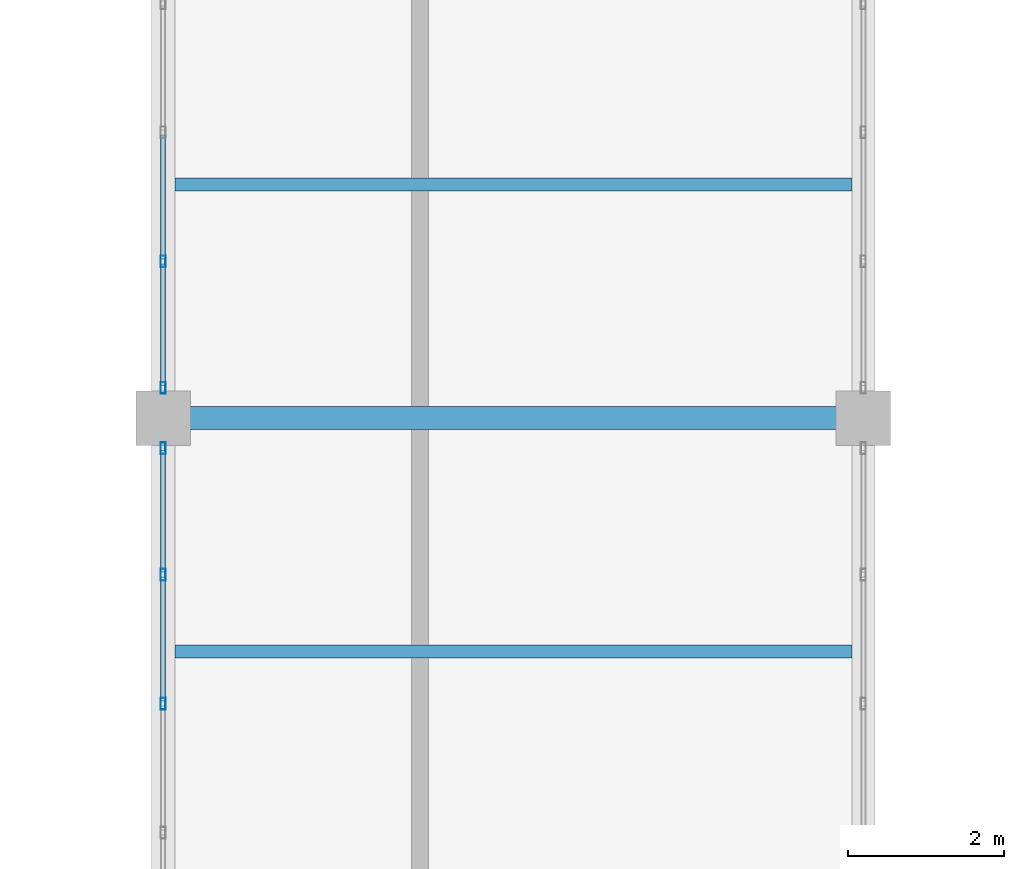
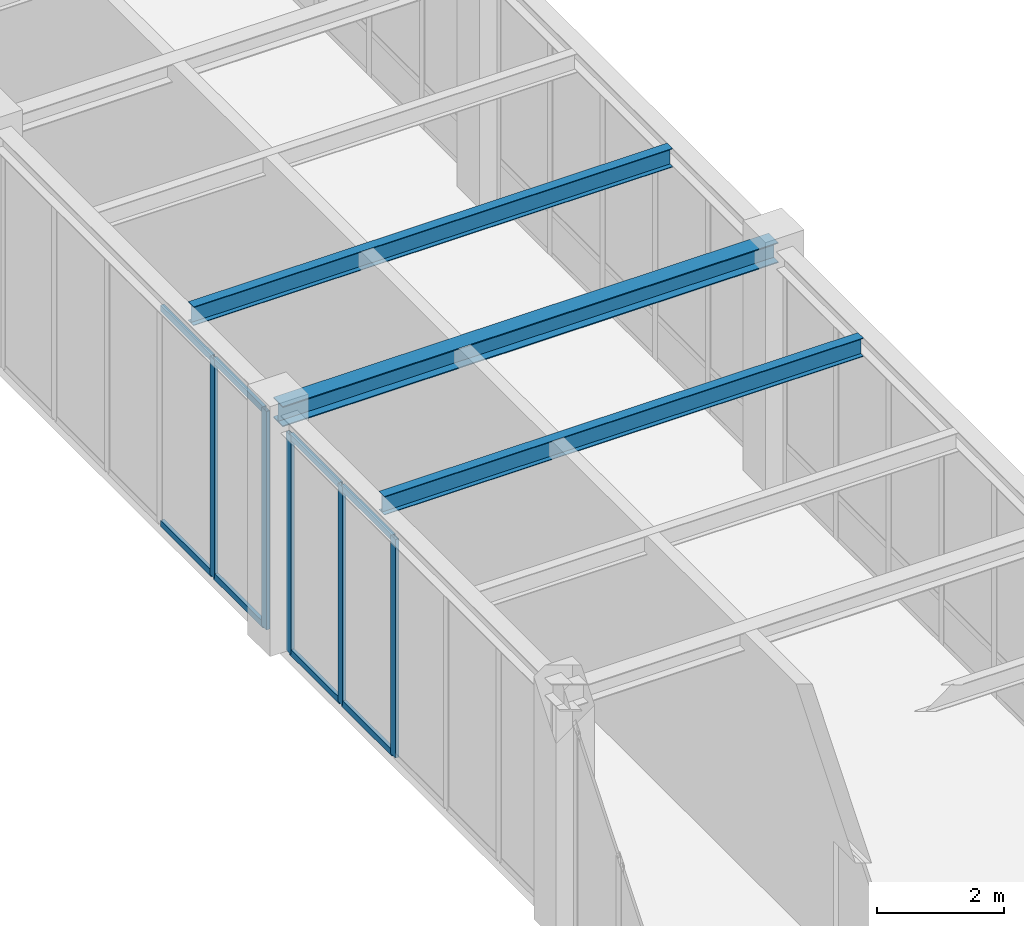
# One storey, part 45 of 92: 13 members, 3 beams, 2 elements without a shape of their own.
"""IFC4 building model written with IfcOpenShell, lengths in metres."""

from ifc_helpers import new_model, si_unit, direction, frame, origin, origin_2d, place, context, subcontext, project, spatial, hollow_rectangle, i_section, extrude, material, material_profile, profile_set, type_object, element, aggregate, save


model = new_model("IFC4")

# Units and contexts
model_context = context("Model", 3, precision=1e-05, world=origin(), true_north=direction((0.0, 1.0)))
body_context = subcontext(model_context, "Body", "Model", "MODEL_VIEW")
ifc_project = project(units=[si_unit("LENGTHUNIT", "METRE"), si_unit("AREAUNIT", "SQUARE_METRE"), si_unit("VOLUMEUNIT", "CUBIC_METRE"), si_unit("PLANEANGLEUNIT", "RADIAN"), si_unit("MASSUNIT", "GRAM", prefix="KILO")], contexts=[model_context])

# Site, building, storey
site_placement = place(None, origin())
site = spatial("IfcSite", under=ifc_project, at=site_placement, CompositionType="ELEMENT")
building_placement = place(site_placement, origin())
building = spatial("IfcBuilding", under=site, at=building_placement, Name="Lykobir Media Centre", CompositionType="ELEMENT")
storey_placement = place(building_placement, frame((0.0, 0.0, 5.39990234375)))
storey = spatial("IfcBuildingStorey", under=building, at=storey_placement, Name="L01", CompositionType="ELEMENT", Elevation=5.39990234375)

# Beam
ifc_material_1 = material(Name="Steel S355", Category="steel")
ifc_material_profile_1 = material_profile(ifc_material_1, i_section(OverallWidth=0.300048828125, OverallDepth=0.389892578125, WebThickness=0.010986328125, FlangeThickness=0.01904296875, at=origin_2d()), Name="HEA 400")
ifc_profile_set_1 = profile_set([ifc_material_profile_1], Name="Steel S355")
beam_type_1 = type_object("IfcBeamType", Name="BM-HEA400", PredefinedType="BEAM", material=ifc_profile_set_1)
beam_placement = place(storey_placement, frame((90.0, 36.0, 4.364990234375), z_axis=(1.0, 0.0, 0.0), x_axis=(0.0, 1.0, 0.0)))
element("IfcBeam", 1, at=beam_placement, inside=storey, type_object=beam_type_1, Name="Beam BM-L01-0900-0360-0990-0360-976", PredefinedType="BEAM", context=body_context, shape_type="SweptSolid", body=[
    extrude(i_section(OverallWidth=0.300048828125, OverallDepth=0.389892578125, WebThickness=0.010986328125, FlangeThickness=0.01904296875, at=origin_2d()), origin(), (0.0, 0.0, 1.0), 9.0),
])

# Curtain wall, members
ifc_material_2 = material(Name="Anodized Aluminium AW-6060", Category="aluminium")
curtain_wall_type = type_object("IfcCurtainWallType", Name="CW-BRIDGE", PredefinedType="NOTDEFINED", material=ifc_material_2)
curtain_wall_1_placement = place(storey_placement, origin())
curtain_wall_1 = element("IfcCurtainWall", 2, at=curtain_wall_1_placement, inside=storey, type_object=curtain_wall_type, Name="Curtain wall CW2-L01-0038", PredefinedType="NOTDEFINED")
ifc_material_profile_2 = material_profile(ifc_material_2, hollow_rectangle(XDim=0.06494140625, YDim=0.14990234375, WallThickness=0.00341796875, at=origin_2d()), Name="ALU MULLION 65x150")
ifc_profile_set_2 = profile_set([ifc_material_profile_2], Name="Anodized Aluminium AW-6060")
member_type_1 = type_object("IfcMemberType", Name="CWM-150", PredefinedType="MULLION", material=ifc_profile_set_2)
member_1_placement = place(storey_placement, frame((90.0, 32.3291015625, 0.0), z_axis=(0.0, 0.0, 1.0), x_axis=(-1.0, 0.0, 0.0)))
member_1 = element("IfcMember", 3, at=member_1_placement, type_object=member_type_1, Name="CW2-L01-0038 mullion 4", PredefinedType="MULLION", context=body_context, shape_type="SweptSolid", body=[
    extrude(hollow_rectangle(XDim=0.06494140625, YDim=0.14990234375, WallThickness=0.00341796875, at=origin_2d()), origin(), (0.0, 0.0, 1.0), 4.195068359375),
])
member_2_placement = place(storey_placement, frame((90.0, 33.987060546875, 0.0), z_axis=(0.0, 0.0, 1.0), x_axis=(-1.0, 0.0, 0.0)))
member_2 = element("IfcMember", 4, at=member_2_placement, type_object=member_type_1, Name="CW2-L01-0038 mullion 5", PredefinedType="MULLION", context=body_context, shape_type="SweptSolid", body=[
    extrude(hollow_rectangle(XDim=0.06494140625, YDim=0.14990234375, WallThickness=0.00341796875, at=origin_2d()), origin(), (0.0, 0.0, 1.0), 4.195068359375),
])
member_3_placement = place(storey_placement, frame((90.0, 35.612548828125, 0.0), z_axis=(0.0, 0.0, 1.0), x_axis=(-1.0, 0.0, 0.0)))
member_3 = element("IfcMember", 5, at=member_3_placement, type_object=member_type_1, Name="CW2-L01-0038 mullion 6", PredefinedType="MULLION", context=body_context, shape_type="SweptSolid", body=[
    extrude(hollow_rectangle(XDim=0.06494140625, YDim=0.14990234375, WallThickness=0.00341796875, at=origin_2d()), origin(), (0.0, 0.0, 1.0), 4.195068359375),
])

curtain_wall_2_placement = place(storey_placement, origin())
curtain_wall_2 = element("IfcCurtainWall", 6, at=curtain_wall_2_placement, inside=storey, type_object=curtain_wall_type, Name="Curtain wall CW2-L01-0039", PredefinedType="NOTDEFINED")
member_4_placement = place(storey_placement, frame((90.0, 36.387451171875, 0.0), z_axis=(0.0, 0.0, 1.0), x_axis=(-1.0, 0.0, 0.0)))
member_4 = element("IfcMember", 7, at=member_4_placement, type_object=member_type_1, Name="CW2-L01-0039 mullion 1", PredefinedType="MULLION", context=body_context, shape_type="SweptSolid", body=[
    extrude(hollow_rectangle(XDim=0.06494140625, YDim=0.14990234375, WallThickness=0.00341796875, at=origin_2d()), origin(), (0.0, 0.0, 1.0), 4.195068359375),
])
member_5_placement = place(storey_placement, frame((90.0, 38.012939453125, 0.0), z_axis=(0.0, 0.0, 1.0), x_axis=(-1.0, 0.0, 0.0)))
member_5 = element("IfcMember", 8, at=member_5_placement, type_object=member_type_1, Name="CW2-L01-0039 mullion 2", PredefinedType="MULLION", context=body_context, shape_type="SweptSolid", body=[
    extrude(hollow_rectangle(XDim=0.06494140625, YDim=0.14990234375, WallThickness=0.00341796875, at=origin_2d()), origin(), (0.0, 0.0, 1.0), 4.195068359375),
])

# Member
ifc_material_profile_3 = material_profile(ifc_material_2, hollow_rectangle(XDim=0.06494140625, YDim=0.1201171875, WallThickness=0.0029296875, at=origin_2d()), Name="ALU TRANSOM 65x120")
ifc_profile_set_3 = profile_set([ifc_material_profile_3], Name="Anodized Aluminium AW-6060")
member_type_2 = type_object("IfcMemberType", Name="CWT-120", PredefinedType="USERDEFINED", material=ifc_profile_set_3)
member_6_placement = place(storey_placement, frame((90.0, 32.361572265625, 0.03271484375), z_axis=(0.0, 1.0, 0.0), x_axis=(-1.0, 0.0, 0.0)))
member_6 = element("IfcMember", 9, at=member_6_placement, type_object=member_type_2, Name="CW2-L01-0038 transom 4.1", ObjectType="TRANSOM", PredefinedType="USERDEFINED", context=body_context, shape_type="SweptSolid", body=[
    extrude(hollow_rectangle(XDim=0.06494140625, YDim=0.1201171875, WallThickness=0.0029296875, at=origin_2d()), origin(), (0.0, 0.0, 1.0), 1.593017578125),
])

member_7_placement = place(storey_placement, frame((90.0, 32.361572265625, 4.16259765625), z_axis=(0.0, 1.0, 0.0), x_axis=(-1.0, 0.0, 0.0)))
member_7 = element("IfcMember", 10, at=member_7_placement, type_object=member_type_2, Name="CW2-L01-0038 transom 4.2", ObjectType="TRANSOM", PredefinedType="USERDEFINED", context=body_context, shape_type="SweptSolid", body=[
    extrude(hollow_rectangle(XDim=0.06494140625, YDim=0.1201171875, WallThickness=0.0029296875, at=origin_2d()), origin(), (0.0, 0.0, 1.0), 1.593017578125),
])

member_8_placement = place(storey_placement, frame((90.0, 34.01953125, 0.03271484375), z_axis=(0.0, 1.0, 0.0), x_axis=(-1.0, 0.0, 0.0)))
member_8 = element("IfcMember", 11, at=member_8_placement, type_object=member_type_2, Name="CW2-L01-0038 transom 5.1", ObjectType="TRANSOM", PredefinedType="USERDEFINED", context=body_context, shape_type="SweptSolid", body=[
    extrude(hollow_rectangle(XDim=0.06494140625, YDim=0.1201171875, WallThickness=0.0029296875, at=origin_2d()), origin(), (0.0, 0.0, 1.0), 1.560546875),
])

member_9_placement = place(storey_placement, frame((90.0, 34.01953125, 4.16259765625), z_axis=(0.0, 1.0, 0.0), x_axis=(-1.0, 0.0, 0.0)))
member_9 = element("IfcMember", 12, at=member_9_placement, type_object=member_type_2, Name="CW2-L01-0038 transom 5.2", ObjectType="TRANSOM", PredefinedType="USERDEFINED", context=body_context, shape_type="SweptSolid", body=[
    extrude(hollow_rectangle(XDim=0.06494140625, YDim=0.1201171875, WallThickness=0.0029296875, at=origin_2d()), origin(), (0.0, 0.0, 1.0), 1.560546875),
])

aggregate(curtain_wall_1, [member_1, member_2, member_3, member_6, member_7, member_8, member_9])

member_10_placement = place(storey_placement, frame((90.0, 36.419921875, 0.03271484375), z_axis=(0.0, 1.0, 0.0), x_axis=(-1.0, 0.0, 0.0)))
member_10 = element("IfcMember", 13, at=member_10_placement, type_object=member_type_2, Name="CW2-L01-0039 transom 1.1", ObjectType="TRANSOM", PredefinedType="USERDEFINED", context=body_context, shape_type="SweptSolid", body=[
    extrude(hollow_rectangle(XDim=0.06494140625, YDim=0.1201171875, WallThickness=0.0029296875, at=origin_2d()), origin(), (0.0, 0.0, 1.0), 1.560546875),
])

member_11_placement = place(storey_placement, frame((90.0, 36.419921875, 4.16259765625), z_axis=(0.0, 1.0, 0.0), x_axis=(-1.0, 0.0, 0.0)))
member_11 = element("IfcMember", 14, at=member_11_placement, type_object=member_type_2, Name="CW2-L01-0039 transom 1.2", ObjectType="TRANSOM", PredefinedType="USERDEFINED", context=body_context, shape_type="SweptSolid", body=[
    extrude(hollow_rectangle(XDim=0.06494140625, YDim=0.1201171875, WallThickness=0.0029296875, at=origin_2d()), origin(), (0.0, 0.0, 1.0), 1.560546875),
])

member_12_placement = place(storey_placement, frame((90.0, 38.04541015625, 0.03271484375), z_axis=(0.0, 1.0, 0.0), x_axis=(-1.0, 0.0, 0.0)))
member_12 = element("IfcMember", 15, at=member_12_placement, type_object=member_type_2, Name="CW2-L01-0039 transom 2.1", ObjectType="TRANSOM", PredefinedType="USERDEFINED", context=body_context, shape_type="SweptSolid", body=[
    extrude(hollow_rectangle(XDim=0.06494140625, YDim=0.1201171875, WallThickness=0.0029296875, at=origin_2d()), origin(), (0.0, 0.0, 1.0), 1.593017578125),
])

member_13_placement = place(storey_placement, frame((90.0, 38.04541015625, 4.16259765625), z_axis=(0.0, 1.0, 0.0), x_axis=(-1.0, 0.0, 0.0)))
member_13 = element("IfcMember", 16, at=member_13_placement, type_object=member_type_2, Name="CW2-L01-0039 transom 2.2", ObjectType="TRANSOM", PredefinedType="USERDEFINED", context=body_context, shape_type="SweptSolid", body=[
    extrude(hollow_rectangle(XDim=0.06494140625, YDim=0.1201171875, WallThickness=0.0029296875, at=origin_2d()), origin(), (0.0, 0.0, 1.0), 1.593017578125),
])

aggregate(curtain_wall_2, [member_4, member_5, member_10, member_11, member_12, member_13])

# Beams
ifc_material_profile_4 = material_profile(ifc_material_1, i_section(OverallWidth=0.169921875, OverallDepth=0.360107421875, WebThickness=0.008056640625, FlangeThickness=0.0126953125, at=origin_2d()), Name="IPE 360")
ifc_profile_set_4 = profile_set([ifc_material_profile_4], Name="Steel S355")
beam_type_2 = type_object("IfcBeamType", Name="JS-IPE360", PredefinedType="JOIST", material=ifc_profile_set_4)
for number, where, z_axis, x_axis, name in (
    (17, (90.14990234375, 33.0, 4.380126953125), (1.0, 0.0, 0.0), (0.0, 1.0, 0.0), "Beam BM-L01-0902-0330-0988-0330-978"),
    (18, (90.14990234375, 39.0, 4.380126953125), (1.0, 0.0, 0.0), (0.0, 1.0, 0.0), "Beam BM-L01-0902-0390-0988-0390-978"),
):
    element("IfcBeam", number, at=place(storey_placement, frame(where, z_axis=z_axis, x_axis=x_axis)), inside=storey, type_object=beam_type_2, Name=name, PredefinedType="JOIST", context=body_context, shape_type="SweptSolid", body=[
        extrude(i_section(OverallWidth=0.169921875, OverallDepth=0.360107421875, WebThickness=0.008056640625, FlangeThickness=0.0126953125, at=origin_2d()), origin(), (0.0, 0.0, 1.0), 8.7001953125),
    ])

save(model, "model.ifc")
